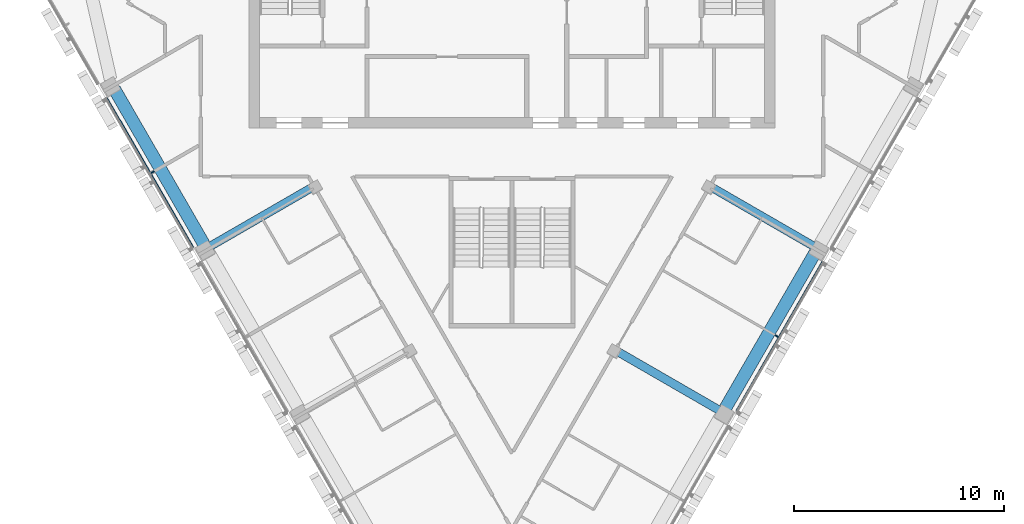
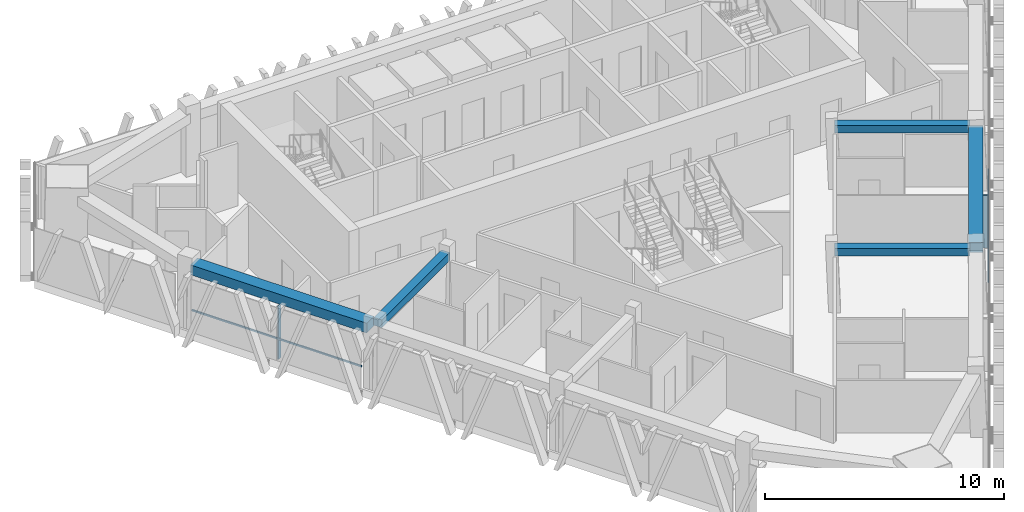
# One storey, part 3 of 14: 5 beams, 4 members, 2 elements without a shape of their own.
"""IFC4 building model written with IfcOpenShell, lengths in metres."""

from ifc_helpers import new_model, si_unit, direction, frame, origin, origin_2d, place, context, subcontext, project, spatial, rectangle, extrude, material, layer, layer_set, material_profile, profile_set, type_object, element, aggregate, save


model = new_model("IFC4")

# Units and contexts
model_context = context("Model", 3, precision=1e-05, world=origin(), true_north=direction((0.0, 1.0)))
body_context = subcontext(model_context, "Body", "Model", "MODEL_VIEW")
ifc_project = project(units=[si_unit("LENGTHUNIT", "METRE"), si_unit("AREAUNIT", "SQUARE_METRE"), si_unit("VOLUMEUNIT", "CUBIC_METRE"), si_unit("PLANEANGLEUNIT", "RADIAN"), si_unit("MASSUNIT", "GRAM", prefix="KILO")], contexts=[model_context])

# Site, building, storey
site_placement = place(None, origin())
site = spatial("IfcSite", under=ifc_project, at=site_placement, CompositionType="ELEMENT")
building_placement = place(site_placement, origin())
building = spatial("IfcBuilding", under=site, at=building_placement, Name="Altiplano Prism Tower", CompositionType="ELEMENT")
storey_placement = place(building_placement, frame((0.0, 0.0, 271.60009765625)))
storey = spatial("IfcBuildingStorey", under=building, at=storey_placement, Name="L70", CompositionType="ELEMENT", Elevation=271.60009765625)

# Curtain wall, member
ifc_material_1 = material(Name="Aluminium and glass", Category="aluminium")
ifc_layer = layer(ifc_material_1, 0.280029296875)
ifc_layer_set = layer_set([ifc_layer], Name="Aluminium and glass")
curtain_wall_type = type_object("IfcCurtainWallType", Name="CW1 typical co-living unitised curtain wall", PredefinedType="NOTDEFINED", material=ifc_layer_set)
curtain_wall_1_placement = place(storey_placement, origin())
curtain_wall_1 = element("IfcCurtainWall", 1, at=curtain_wall_1_placement, inside=storey, type_object=curtain_wall_type, Name="CW1 curtain wall south-west face L70", PredefinedType="NOTDEFINED")
ifc_material_2 = material(Name="Aluminium", Category="aluminium")
ifc_material_profile_1 = material_profile(ifc_material_2, rectangle(XDim=0.179931640625, YDim=0.06494140625, at=origin_2d()), Name="CW1 mullion 65 x 180")
ifc_profile_set_1 = profile_set([ifc_material_profile_1], Name="Aluminium")
member_type_1 = type_object("IfcMemberType", Name="CW1 mullion 65 x 180", PredefinedType="MULLION", material=ifc_profile_set_1)
member_1_placement = place(storey_placement, frame((67.912841796875, 90.802734375, 0.0), z_axis=(0.0, 0.0, 1.0), x_axis=(0.866025407039, 0.499999994362, 0.0)))
member_1 = element("IfcMember", 2, at=member_1_placement, type_object=member_type_1, Name="CW1 mullion", PredefinedType="MULLION", context=body_context, shape_type="SweptSolid", body=[
    extrude(rectangle(XDim=0.179931640625, YDim=0.06494140625, at=origin_2d()), origin(), (0.0, 0.0, 1.0), 2.699951171875),
])

curtain_wall_2_placement = place(storey_placement, origin())
curtain_wall_2 = element("IfcCurtainWall", 3, at=curtain_wall_2_placement, inside=storey, type_object=curtain_wall_type, Name="CW1 curtain wall south-east face L70", PredefinedType="NOTDEFINED")
member_2_placement = place(storey_placement, frame((97.587158203125, 83.008544921875, 0.0), z_axis=(0.0, 0.0, 1.0), x_axis=(-0.866025407039, 0.499999994362, 0.0)))
member_2 = element("IfcMember", 4, at=member_2_placement, type_object=member_type_1, Name="CW1 mullion", PredefinedType="MULLION", context=body_context, shape_type="SweptSolid", body=[
    extrude(rectangle(XDim=0.179931640625, YDim=0.06494140625, at=origin_2d()), origin(), (0.0, 0.0, 1.0), 2.699951171875),
])

# Member
ifc_material_profile_2 = material_profile(ifc_material_2, rectangle(XDim=0.06005859375, YDim=0.080078125, at=origin_2d()), Name="CW1 transom 80 x 60")
ifc_profile_set_2 = profile_set([ifc_material_profile_2], Name="Aluminium")
member_type_2 = type_object("IfcMemberType", Name="CW1 transom 80 x 60", PredefinedType="USERDEFINED", material=ifc_profile_set_2)
member_3_placement = place(storey_placement, frame((65.734130859375, 94.336181640625, 1.099853515625), z_axis=(0.500013829788, -0.866017419005, 0.0), x_axis=(0.866017419005, 0.500013829788, 0.0)))
member_3 = element("IfcMember", 5, at=member_3_placement, type_object=member_type_2, Name="CW1 transom", ObjectType="TRANSOM", PredefinedType="USERDEFINED", context=body_context, shape_type="SweptSolid", body=[
    extrude(rectangle(XDim=0.06005859375, YDim=0.080078125, at=origin_2d()), origin(), (0.0, 0.0, 1.0), 8.219970703125),
])

aggregate(curtain_wall_1, [member_1, member_3])

member_4_placement = place(storey_placement, frame((95.65576171875, 79.42333984375, 1.099853515625), z_axis=(0.500013829788, 0.866017419005, 0.0), x_axis=(-0.866017419005, 0.500013829788, 0.0)))
member_4 = element("IfcMember", 6, at=member_4_placement, type_object=member_type_2, Name="CW1 transom", ObjectType="TRANSOM", PredefinedType="USERDEFINED", context=body_context, shape_type="SweptSolid", body=[
    extrude(rectangle(XDim=0.06005859375, YDim=0.080078125, at=origin_2d()), origin(), (0.0, 0.0, 1.0), 8.219970703125),
])

aggregate(curtain_wall_2, [member_2, member_4])

# Beams
ifc_material_3 = material(Name="Concrete C60/75", Category="concrete")
ifc_material_profile_3 = material_profile(ifc_material_3, rectangle(XDim=0.60009765625, YDim=0.5, at=origin_2d()), Name="Edge beam 600x500")
ifc_profile_set_3 = profile_set([ifc_material_profile_3], Name="Concrete C60/75")
beam_type_1 = type_object("IfcBeamType", Name="Edge beam 600x500", PredefinedType="SPANDREL", material=ifc_profile_set_3)
for number, where, z_axis, x_axis, name in (
    (7, (66.0830078125, 94.76904296875, 2.949951171875), (0.500007039007, -0.866021339774, 0.0), (0.866021339774, 0.500007039007, 0.0), "Edge beam P11-P12 L71"),
    (8, (95.14697265625, 79.5791015625, 2.949951171875), (0.500007039007, 0.866021339774, 0.0), (-0.866021339774, 0.500007039007, 0.0), "Edge beam P22-P23 L71"),
):
    element("IfcBeam", number, at=place(storey_placement, frame(where, z_axis=z_axis, x_axis=x_axis)), inside=storey, type_object=beam_type_1, Name=name, PredefinedType="SPANDREL", context=body_context, shape_type="SweptSolid", body=[
        extrude(rectangle(XDim=0.60009765625, YDim=0.5, at=origin_2d()), origin(), (0.0, 0.0, 1.0), 8.5400390625),
    ])
ifc_material_profile_4 = material_profile(ifc_material_3, rectangle(XDim=0.39990234375, YDim=0.39990234375, at=origin_2d()), Name="Tie beam 400x400")
ifc_profile_set_4 = profile_set([ifc_material_profile_4], Name="Concrete C60/75")
beam_type_2 = type_object("IfcBeamType", Name="Tie beam 400x400", PredefinedType="BEAM", material=ifc_profile_set_4)
for number, where, z_axis, x_axis, name in (
    (9, (75.594970703125, 90.134033203125, 3.0), (-0.866029822496, -0.499992346489, 0.0), (0.499992346489, -0.866029822496, 0.0), "Tie beam I12 L71"),
    (10, (89.905029296875, 82.33984375, 3.0), (0.866029822496, -0.499992346489, 0.0), (0.499992346489, 0.866029822496, 0.0), "Tie beam I22 L71"),
    (11, (94.405029296875, 90.134033203125, 3.0), (0.866029822496, -0.499992346489, 0.0), (0.499992346489, 0.866029822496, 0.0), "Tie beam I23 L71"),
):
    element("IfcBeam", number, at=place(storey_placement, frame(where, z_axis=z_axis, x_axis=x_axis)), inside=storey, type_object=beam_type_2, Name=name, PredefinedType="BEAM", context=body_context, shape_type="SweptSolid", body=[
        extrude(rectangle(XDim=0.39990234375, YDim=0.39990234375, at=origin_2d()), origin(), (0.0, 0.0, 1.0), 5.68994140625),
    ])

save(model, "model.ifc")
